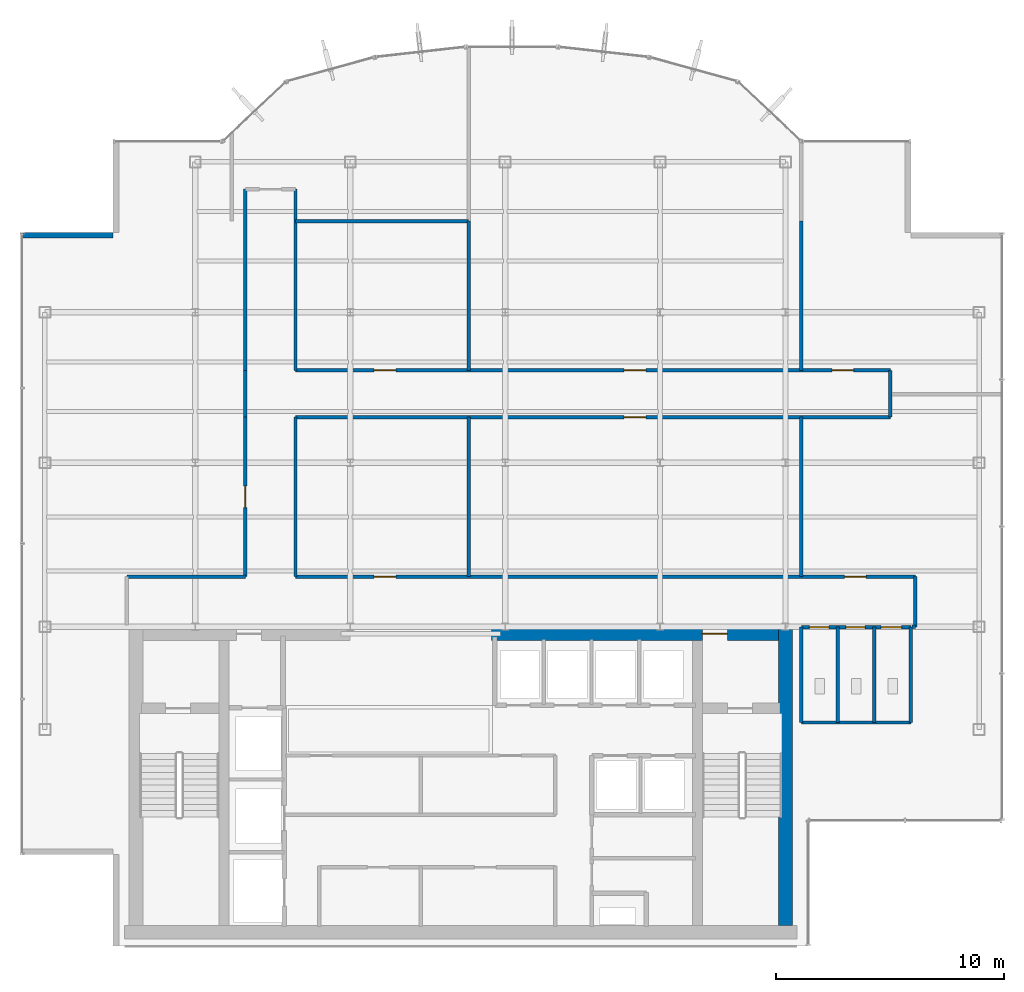
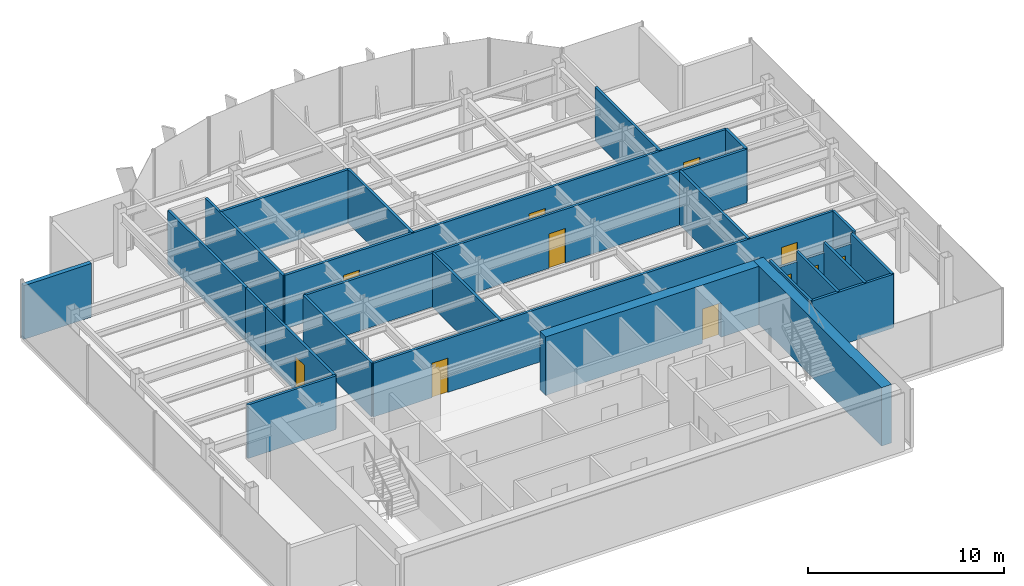
# One storey, part 18 of 22: 26 walls, 11 doors, 11 openings.
"""IFC4 building model written with IfcOpenShell, lengths in metres."""

from ifc_helpers import new_model, si_unit, derived_unit, direction, frame, frame_2d, origin, place, context, subcontext, project, spatial, rectangle, extrude, source, transform, mapped, material, layer, layer_set, type_object, element, fill, save


model = new_model("IFC4")

# Units and contexts
model_context = context("Model", 3, precision=1e-05, world=origin(), true_north=direction((0.0, 1.0)))
body_context = subcontext(model_context, "Body", "Model", "MODEL_VIEW")
ifc_project = project(units=[si_unit("LENGTHUNIT", "METRE"), si_unit("AREAUNIT", "SQUARE_METRE"), si_unit("VOLUMEUNIT", "CUBIC_METRE"), si_unit("PLANEANGLEUNIT", "RADIAN"), si_unit("MASSUNIT", "GRAM", prefix="KILO"), derived_unit("THERMALTRANSMITTANCEUNIT", [(si_unit("POWERUNIT", "WATT"), 1), (si_unit("LENGTHUNIT", "METRE"), -2), (si_unit("THERMODYNAMICTEMPERATUREUNIT", "KELVIN"), -1)])], contexts=[model_context])

# Site, building, storey
site_placement = place(None, origin())
site = spatial("IfcSite", under=ifc_project, at=site_placement, CompositionType="ELEMENT")
building_placement = place(site_placement, origin())
building = spatial("IfcBuilding", under=site, at=building_placement, Name="Skarnbrae Concourse Arena and Tower", CompositionType="ELEMENT")
storey_placement = place(building_placement, frame((0.0, 0.0, 232.39990234375)))
storey = spatial("IfcBuildingStorey", under=building, at=storey_placement, Name="L60", CompositionType="ELEMENT", Elevation=232.39990234375)

# Wall
ifc_material_1 = material(Name="Concrete 50 MPa (C50/60)", Category="concrete")
ifc_layer_1 = layer(ifc_material_1, 0.60009765625)
ifc_layer_set_1 = layer_set([ifc_layer_1], Name="Concrete 50 MPa (C50/60)")
wall_type_1 = type_object("IfcWallType", Name="WALL-CORE-600-C50", PredefinedType="SHEAR", material=ifc_layer_set_1)
shared_shape_1 = source(origin(), body_context, "Body", "SweptSolid", [
    extrude(rectangle(XDim=13.10009765625, YDim=0.60009765625, at=frame_2d((6.550048828125, 0.0))), origin(), (0.0, 0.0, 1.0), 3.650146484375),
])
wall_1_placement = place(storey_placement, frame((33.5, 0.89990234375, 0.0), z_axis=(0.0, 0.0, 1.0), x_axis=(0.0, 1.0, 0.0)))
element("IfcWall", 1, at=wall_1_placement, inside=storey, type_object=wall_type_1, Name="L60 Rear core shear wall CW-E", PredefinedType="SHEAR", context=body_context, shape_type="MappedRepresentation", body=[
    mapped(shared_shape_1, transform((0.0, 0.0, 0.0))),
])

# Wall, opening, door
shared_shape_2 = source(origin(), body_context, "Body", "SweptSolid", [
    extrude(rectangle(XDim=12.599853515625, YDim=0.60009765625, at=frame_2d((6.2998046875, 0.0))), origin(), (0.0, 0.0, 1.0), 3.650146484375),
])
wall_2_placement = place(storey_placement, frame((20.60009765625, 13.699951171875, 0.0), z_axis=(0.0, 0.0, 1.0), x_axis=(1.0, 0.0, 0.0)))
wall_2 = element("IfcWall", 2, at=wall_2_placement, inside=storey, type_object=wall_type_1, Name="L60 Rear core shear wall CW-NE", PredefinedType="SHEAR", context=body_context, shape_type="MappedRepresentation", body=[
    mapped(shared_shape_2, transform((0.0, 0.0, 0.0))),
])
opening_1_placement = place(wall_2_placement, frame((9.25, 0.0, 0.0)))
opening_1 = element("IfcOpeningElement", 3, at=opening_1_placement, cuts=wall_2, Name="Opening DT-03", PredefinedType="OPENING", context=body_context, shape_type="SweptSolid", body=[
    extrude(rectangle(XDim=1.10009765625, YDim=2.14990234375, at=frame_2d((0.550048828125, 1.074951171875))), frame((0.0, 0.31005859375, 0.0), z_axis=(0.0, -1.0, 0.0), x_axis=(1.0, 0.0, 0.0)), (0.0, 0.0, 1.0), 0.6201171875),
])
ifc_material_2 = material(Name="Steel CSA G40.21 350W", Category="steel")
door_type_1 = type_object("IfcDoorType", Name="DOOR-FIRE-1100-90M", OperationType="NOTDEFINED", PredefinedType="DOOR", material=ifc_material_2)
shared_shape_3 = source(origin(), body_context, "Body", "SweptSolid", [
    extrude(rectangle(XDim=1.10009765625, YDim=2.14990234375, at=frame_2d((0.550048828125, 1.074951171875))), frame((0.0, 0.02490234375, 0.0), z_axis=(0.0, -1.0, 0.0), x_axis=(1.0, 0.0, 0.0)), (0.0, 0.0, 1.0), 0.050048828125),
])
door_1_placement = place(opening_1_placement, origin())
door_1 = element("IfcDoor", 4, at=door_1_placement, inside=storey, type_object=door_type_1, Name="D-1821 Stair ST-2 Vestibule Door", OperationType="SINGLE_SWING_LEFT", OverallHeight=2.14990234375, OverallWidth=1.10009765625, PredefinedType="DOOR", context=body_context, shape_type="MappedRepresentation", body=[
    mapped(shared_shape_3, transform((0.0, 0.0, 0.0))),
])
fill(opening_1, door_1)

# Walls
ifc_material_3 = material(Name="Precast concrete 40 MPa (C40/50)", Category="concrete")
ifc_layer_2 = layer(ifc_material_3, 0.25)
ifc_layer_set_2 = layer_set([ifc_layer_2], Name="Precast concrete 40 MPa (C40/50)")
wall_type_2 = type_object("IfcWallType", Name="WALL-EXT-SPANDREL-250", PredefinedType="STANDARD", material=ifc_layer_set_2)
shared_shape_4 = source(origin(), body_context, "Body", "SweptSolid", [
    extrude(rectangle(XDim=4.0, YDim=0.25, at=frame_2d((2.0, 0.0))), origin(), (0.0, 0.0, 1.0), 3.35009765625),
])
wall_3_placement = place(storey_placement, frame((4.0, 31.175048828125, 0.0), z_axis=(0.0, 0.0, 1.0), x_axis=(-1.0, 0.0, 0.0)))
element("IfcWall", 5, at=wall_3_placement, inside=storey, type_object=wall_type_2, Name="L60 Notched corner insulated return wall 17", PredefinedType="STANDARD", context=body_context, shape_type="MappedRepresentation", body=[
    mapped(shared_shape_4, transform((0.0, 0.0, 0.0))),
])
ifc_material_4 = material(Name="Gypsum board on cold-formed steel studs", Category="steel")
ifc_layer_3 = layer(ifc_material_4, 0.14990234375)
ifc_layer_set_3 = layer_set([ifc_layer_3], Name="Gypsum board on cold-formed steel studs")
wall_type_3 = type_object("IfcWallType", Name="WALL-PART-150", PredefinedType="PARTITIONING", material=ifc_layer_set_3)
shared_shape_5 = source(origin(), body_context, "Body", "SweptSolid", [
    extrude(rectangle(XDim=4.800048828125, YDim=0.14990234375, at=frame_2d((2.39990234375, 0.0))), origin(), (0.0, 0.0, 1.0), 3.35009765625),
])
wall_4_placement = place(storey_placement, frame((34.199951171875, 9.800048828125, 0.0), z_axis=(0.0, 0.0, 1.0), x_axis=(1.0, 0.0, 0.0)))
element("IfcWall", 6, at=wall_4_placement, inside=storey, type_object=wall_type_3, Name="L60 Interior partition wall W-L60-WC-S", PredefinedType="PARTITIONING", context=body_context, shape_type="MappedRepresentation", body=[
    mapped(shared_shape_5, transform((0.0, 0.0, 0.0))),
])
shared_shape_6 = source(origin(), body_context, "Body", "SweptSolid", [
    extrude(rectangle(XDim=4.179931640625, YDim=0.14990234375, at=frame_2d((2.08984375, 0.0))), origin(), (0.0, 0.0, 1.0), 3.35009765625),
])
for number, where, z_axis, x_axis, name in (
    (7, (39.0, 9.800048828125, 0.0), (0.0, 0.0, 1.0), (0.0, 1.0, 0.0), "L60 Interior partition wall W-L60-WC-E"),
    (8, (34.199951171875, 9.800048828125, 0.0), (0.0, 0.0, 1.0), (0.0, 1.0, 0.0), "L60 Interior partition wall W-L60-WC-W"),
    (9, (35.800048828125, 9.800048828125, 0.0), (0.0, 0.0, 1.0), (0.0, 1.0, 0.0), "L60 Interior partition wall W-L60-WC-D1"),
    (10, (37.39990234375, 9.800048828125, 0.0), (0.0, 0.0, 1.0), (0.0, 1.0, 0.0), "L60 Interior partition wall W-L60-WC-D2"),
):
    element("IfcWall", number, at=place(storey_placement, frame(where, z_axis=z_axis, x_axis=x_axis)), inside=storey, type_object=wall_type_3, Name=name, PredefinedType="PARTITIONING", context=body_context, shape_type="MappedRepresentation", body=[
        mapped(shared_shape_6, transform((0.0, 0.0, 0.0))),
    ])

# Wall, openings, doors
shared_shape_7 = source(origin(), body_context, "Body", "SweptSolid", [
    extrude(rectangle(XDim=4.800048828125, YDim=0.14990234375, at=frame_2d((2.39990234375, 0.0))), origin(), (0.0, 0.0, 1.0), 2.737060546875),
])
wall_5_placement = place(storey_placement, frame((34.199951171875, 13.97998046875, 0.0), z_axis=(0.0, 0.0, 1.0), x_axis=(1.0, 0.0, 0.0)))
wall_5 = element("IfcWall", 11, at=wall_5_placement, inside=storey, type_object=wall_type_3, Name="L60 Interior partition wall W-L60-WC-N", PredefinedType="PARTITIONING", context=body_context, shape_type="MappedRepresentation", body=[
    mapped(shared_shape_7, transform((0.0, 0.0, 0.0))),
])
opening_2_placement = place(wall_5_placement, frame((0.35009765625, 0.0, 0.0)))
opening_2 = element("IfcOpeningElement", 12, at=opening_2_placement, cuts=wall_5, Name="Opening DT-06", PredefinedType="OPENING", context=body_context, shape_type="SweptSolid", body=[
    extrude(rectangle(XDim=0.85009765625, YDim=2.10009765625, at=frame_2d((0.425048828125, 1.050048828125))), frame((0.0, 0.0849609375, 0.0), z_axis=(0.0, -1.0, 0.0), x_axis=(1.0, 0.0, 0.0)), (0.0, 0.0, 1.0), 0.169921875),
])
opening_3_placement = place(wall_5_placement, frame((1.949951171875, 0.0, 0.0)))
opening_3 = element("IfcOpeningElement", 13, at=opening_3_placement, cuts=wall_5, Name="Opening DT-06", PredefinedType="OPENING", context=body_context, shape_type="SweptSolid", body=[
    extrude(rectangle(XDim=0.85009765625, YDim=2.10009765625, at=frame_2d((0.425048828125, 1.050048828125))), frame((0.0, 0.0849609375, 0.0), z_axis=(0.0, -1.0, 0.0), x_axis=(1.0, 0.0, 0.0)), (0.0, 0.0, 1.0), 0.169921875),
])
opening_4_placement = place(wall_5_placement, frame((3.5, 0.0, 0.0)))
opening_4 = element("IfcOpeningElement", 14, at=opening_4_placement, cuts=wall_5, Name="Opening DT-05", PredefinedType="OPENING", context=body_context, shape_type="SweptSolid", body=[
    extrude(rectangle(XDim=0.89990234375, YDim=2.10009765625, at=frame_2d((0.449951171875, 1.050048828125))), frame((0.0, 0.0849609375, 0.0), z_axis=(0.0, -1.0, 0.0), x_axis=(1.0, 0.0, 0.0)), (0.0, 0.0, 1.0), 0.169921875),
])
ifc_material_5 = material(Name="Architectural oak veneer timber leaf", Category="wood")
door_type_2 = type_object("IfcDoorType", Name="DOOR-INT-850", OperationType="NOTDEFINED", PredefinedType="DOOR", material=ifc_material_5)
shared_shape_8 = source(origin(), body_context, "Body", "SweptSolid", [
    extrude(rectangle(XDim=0.85009765625, YDim=2.10009765625, at=frame_2d((0.425048828125, 1.050048828125))), frame((0.0, 0.02490234375, 0.0), z_axis=(0.0, -1.0, 0.0), x_axis=(1.0, 0.0, 0.0)), (0.0, 0.0, 1.0), 0.050048828125),
])
door_2_placement = place(opening_2_placement, frame((0.85009765625, 0.0, 0.0), z_axis=(0.0, 0.0, 1.0), x_axis=(-1.0, 0.0, 0.0)))
door_2 = element("IfcDoor", 15, at=door_2_placement, inside=storey, type_object=door_type_2, Name="D-1837 Male Washroom Door", OperationType="SINGLE_SWING_LEFT", OverallHeight=2.10009765625, OverallWidth=0.85009765625, PredefinedType="DOOR", context=body_context, shape_type="MappedRepresentation", body=[
    mapped(shared_shape_8, transform((0.0, 0.0, 0.0))),
])
fill(opening_2, door_2)
door_3_placement = place(opening_3_placement, frame((0.85009765625, 0.0, 0.0), z_axis=(0.0, 0.0, 1.0), x_axis=(-1.0, 0.0, 0.0)))
door_3 = element("IfcDoor", 16, at=door_3_placement, inside=storey, type_object=door_type_2, Name="D-1838 Female Washroom Door", OperationType="SINGLE_SWING_RIGHT", OverallHeight=2.10009765625, OverallWidth=0.85009765625, PredefinedType="DOOR", context=body_context, shape_type="MappedRepresentation", body=[
    mapped(shared_shape_8, transform((0.0, 0.0, 0.0))),
])
fill(opening_3, door_3)
door_type_3 = type_object("IfcDoorType", Name="DOOR-INT-900", OperationType="NOTDEFINED", PredefinedType="DOOR", material=ifc_material_5)
shared_shape_9 = source(origin(), body_context, "Body", "SweptSolid", [
    extrude(rectangle(XDim=0.89990234375, YDim=2.10009765625, at=frame_2d((0.449951171875, 1.050048828125))), frame((0.0, 0.02490234375, 0.0), z_axis=(0.0, -1.0, 0.0), x_axis=(1.0, 0.0, 0.0)), (0.0, 0.0, 1.0), 0.050048828125),
])
door_4_placement = place(opening_4_placement, frame((0.89990234375, 0.0, 0.0), z_axis=(0.0, 0.0, 1.0), x_axis=(-1.0, 0.0, 0.0)))
door_4 = element("IfcDoor", 17, at=door_4_placement, inside=storey, type_object=door_type_3, Name="D-1839 Accessible WC Door", OperationType="SINGLE_SWING_LEFT", OverallHeight=2.10009765625, OverallWidth=0.89990234375, PredefinedType="DOOR", context=body_context, shape_type="MappedRepresentation", body=[
    mapped(shared_shape_9, transform((0.0, 0.0, 0.0))),
])
fill(opening_4, door_4)

# Wall
ifc_layer_4 = layer(ifc_material_4, 0.14990234375)
ifc_layer_set_4 = layer_set([ifc_layer_4], Name="Gypsum board on cold-formed steel studs")
wall_type_4 = type_object("IfcWallType", Name="WALL-PART-150-1HR", PredefinedType="PARTITIONING", material=ifc_layer_set_4)
shared_shape_10 = source(origin(), body_context, "Body", "SweptSolid", [
    extrude(rectangle(XDim=5.199951171875, YDim=0.14990234375, at=frame_2d((2.60009765625, 0.0))), origin(), (0.0, 0.0, 1.0), 3.35009765625),
])
wall_6_placement = place(storey_placement, frame((4.60009765625, 16.199951171875, 0.0), z_axis=(0.0, 0.0, 1.0), x_axis=(1.0, 0.0, 0.0)))
element("IfcWall", 18, at=wall_6_placement, inside=storey, type_object=wall_type_4, Name="L60 Interior partition wall W-L60-COR-02", PredefinedType="PARTITIONING", context=body_context, shape_type="MappedRepresentation", body=[
    mapped(shared_shape_10, transform((0.0, 0.0, 0.0))),
])

# Wall, opening, door
shared_shape_11 = source(origin(), body_context, "Body", "SweptSolid", [
    extrude(rectangle(XDim=7.0, YDim=0.14990234375, at=frame_2d((3.5, 0.0))), origin(), (0.0, 0.0, 1.0), 3.35009765625),
])
wall_7_placement = place(storey_placement, frame((9.800048828125, 16.199951171875, 0.0), z_axis=(0.0, 0.0, 1.0), x_axis=(0.0, 1.0, 0.0)))
wall_7 = element("IfcWall", 19, at=wall_7_placement, inside=storey, type_object=wall_type_4, Name="L60 Interior partition wall W-L60-COR-03", PredefinedType="PARTITIONING", context=body_context, shape_type="MappedRepresentation", body=[
    mapped(shared_shape_11, transform((0.0, 0.0, 0.0))),
])
opening_5_placement = place(wall_7_placement, frame((3.02490234375, 0.0, 0.0)))
opening_5 = element("IfcOpeningElement", 20, at=opening_5_placement, cuts=wall_7, Name="Opening DT-04", PredefinedType="OPENING", context=body_context, shape_type="SweptSolid", body=[
    extrude(rectangle(XDim=0.949951171875, YDim=2.14990234375, at=frame_2d((0.47509765625, 1.074951171875))), frame((0.0, 0.0849609375, 0.0), z_axis=(0.0, -1.0, 0.0), x_axis=(1.0, 0.0, 0.0)), (0.0, 0.0, 1.0), 0.169921875),
])
door_type_4 = type_object("IfcDoorType", Name="DOOR-INT-950-45M", OperationType="NOTDEFINED", PredefinedType="DOOR", material=ifc_material_2)
shared_shape_12 = source(origin(), body_context, "Body", "SweptSolid", [
    extrude(rectangle(XDim=0.949951171875, YDim=2.14990234375, at=frame_2d((0.47509765625, 1.074951171875))), frame((0.0, 0.02490234375, 0.0), z_axis=(0.0, -1.0, 0.0), x_axis=(1.0, 0.0, 0.0)), (0.0, 0.0, 1.0), 0.050048828125),
])
door_5_placement = place(opening_5_placement, origin())
door_5 = element("IfcDoor", 21, at=door_5_placement, inside=storey, type_object=door_type_4, Name="D-1840 L60 Suite Door 01", OperationType="SINGLE_SWING_RIGHT", OverallHeight=2.14990234375, OverallWidth=0.949951171875, PredefinedType="DOOR", context=body_context, shape_type="MappedRepresentation", body=[
    mapped(shared_shape_12, transform((0.0, 0.0, 0.0))),
])
fill(opening_5, door_5)

# Walls
wall_8_placement = place(storey_placement, frame((12.0, 23.199951171875, 0.0), z_axis=(0.0, 0.0, 1.0), x_axis=(0.0, -1.0, 0.0)))
element("IfcWall", 22, at=wall_8_placement, inside=storey, type_object=wall_type_4, Name="L60 Interior partition wall W-L60-COR-11", PredefinedType="PARTITIONING", context=body_context, shape_type="MappedRepresentation", body=[
    mapped(shared_shape_11, transform((0.0, 0.0, 0.0))),
])
for number, where, z_axis, x_axis, name in (
    (23, (19.60009765625, 23.199951171875, 0.0), (0.0, 0.0, 1.0), (0.0, -1.0, 0.0), "L60 Interior partition wall W-L60-DEM-17"),
    (24, (34.199951171875, 23.199951171875, 0.0), (0.0, 0.0, 1.0), (0.0, -1.0, 0.0), "L60 Interior partition wall W-L60-DEM-20"),
):
    element("IfcWall", number, at=place(storey_placement, frame(where, z_axis=z_axis, x_axis=x_axis)), inside=storey, type_object=wall_type_3, Name=name, PredefinedType="PARTITIONING", context=body_context, shape_type="MappedRepresentation", body=[
        mapped(shared_shape_11, transform((0.0, 0.0, 0.0))),
    ])
shared_shape_13 = source(origin(), body_context, "Body", "SweptSolid", [
    extrude(rectangle(XDim=2.050048828125, YDim=0.14990234375, at=frame_2d((1.02490234375, 0.0))), origin(), (0.0, 0.0, 1.0), 3.35009765625),
])
for number, where, z_axis, x_axis, name in (
    (25, (9.800048828125, 23.199951171875, 0.0), (0.0, 0.0, 1.0), (0.0, 1.0, 0.0), "L60 Interior partition wall W-L60-COR-04"),
    (26, (38.10009765625, 25.25, 0.0), (0.0, 0.0, 1.0), (0.0, -1.0, 0.0), "L60 Interior partition wall W-L60-COR-09"),
):
    element("IfcWall", number, at=place(storey_placement, frame(where, z_axis=z_axis, x_axis=x_axis)), inside=storey, type_object=wall_type_4, Name=name, PredefinedType="PARTITIONING", context=body_context, shape_type="MappedRepresentation", body=[
        mapped(shared_shape_13, transform((0.0, 0.0, 0.0))),
    ])
shared_shape_14 = source(origin(), body_context, "Body", "SweptSolid", [
    extrude(rectangle(XDim=7.949951171875, YDim=0.14990234375, at=frame_2d((3.97509765625, 0.0))), origin(), (0.0, 0.0, 1.0), 3.35009765625),
])
for number, where, z_axis, x_axis, name in (
    (27, (9.800048828125, 25.25, 0.0), (0.0, 0.0, 1.0), (0.0, 1.0, 0.0), "L60 Interior partition wall W-L60-COR-05"),
    (28, (12.0, 33.199951171875, 0.0), (0.0, 0.0, 1.0), (0.0, -1.0, 0.0), "L60 Interior partition wall W-L60-COR-07"),
):
    element("IfcWall", number, at=place(storey_placement, frame(where, z_axis=z_axis, x_axis=x_axis)), inside=storey, type_object=wall_type_4, Name=name, PredefinedType="PARTITIONING", context=body_context, shape_type="MappedRepresentation", body=[
        mapped(shared_shape_14, transform((0.0, 0.0, 0.0))),
    ])
shared_shape_15 = source(origin(), body_context, "Body", "SweptSolid", [
    extrude(rectangle(XDim=2.199951171875, YDim=0.14990234375, at=frame_2d((1.10009765625, 0.0))), origin(), (0.0, 0.0, 1.0), 3.35009765625),
])
wall_9_placement = place(storey_placement, frame((39.199951171875, 16.199951171875, 0.0), z_axis=(0.0, 0.0, 1.0), x_axis=(0.0, -1.0, 0.0)))
element("IfcWall", 29, at=wall_9_placement, inside=storey, type_object=wall_type_4, Name="L60 Interior partition wall W-L60-COR-13", PredefinedType="PARTITIONING", context=body_context, shape_type="MappedRepresentation", body=[
    mapped(shared_shape_15, transform((0.0, 0.0, 0.0))),
])

# Wall, openings, doors
shared_shape_16 = source(origin(), body_context, "Body", "SweptSolid", [
    extrude(rectangle(XDim=26.10009765625, YDim=0.14990234375, at=frame_2d((13.050048828125, 0.0))), origin(), (0.0, 0.0, 1.0), 3.35009765625),
])
wall_10_placement = place(storey_placement, frame((12.0, 25.25, 0.0), z_axis=(0.0, 0.0, 1.0), x_axis=(1.0, 0.0, 0.0)))
wall_10 = element("IfcWall", 30, at=wall_10_placement, inside=storey, type_object=wall_type_4, Name="L60 Interior partition wall W-L60-COR-08", PredefinedType="PARTITIONING", context=body_context, shape_type="MappedRepresentation", body=[
    mapped(shared_shape_16, transform((0.0, 0.0, 0.0))),
])
opening_6_placement = place(wall_10_placement, frame((3.455078125, 0.0, 0.0)))
opening_6 = element("IfcOpeningElement", 31, at=opening_6_placement, cuts=wall_10, Name="Opening DT-04", PredefinedType="OPENING", context=body_context, shape_type="SweptSolid", body=[
    extrude(rectangle(XDim=0.949951171875, YDim=2.14990234375, at=frame_2d((0.47509765625, 1.074951171875))), frame((0.0, 0.0849609375, 0.0), z_axis=(0.0, -1.0, 0.0), x_axis=(1.0, 0.0, 0.0)), (0.0, 0.0, 1.0), 0.169921875),
])
opening_7_placement = place(wall_10_placement, frame((14.425048828125, 0.0, 0.0)))
opening_7 = element("IfcOpeningElement", 32, at=opening_7_placement, cuts=wall_10, Name="Opening DT-04", PredefinedType="OPENING", context=body_context, shape_type="SweptSolid", body=[
    extrude(rectangle(XDim=0.949951171875, YDim=2.14990234375, at=frame_2d((0.47509765625, 1.074951171875))), frame((0.0, 0.0849609375, 0.0), z_axis=(0.0, -1.0, 0.0), x_axis=(1.0, 0.0, 0.0)), (0.0, 0.0, 1.0), 0.169921875),
])
opening_8_placement = place(wall_10_placement, frame((23.544921875, 0.0, 0.0)))
opening_8 = element("IfcOpeningElement", 33, at=opening_8_placement, cuts=wall_10, Name="Opening DT-04", PredefinedType="OPENING", context=body_context, shape_type="SweptSolid", body=[
    extrude(rectangle(XDim=0.949951171875, YDim=2.14990234375, at=frame_2d((0.47509765625, 1.074951171875))), frame((0.0, 0.0849609375, 0.0), z_axis=(0.0, -1.0, 0.0), x_axis=(1.0, 0.0, 0.0)), (0.0, 0.0, 1.0), 0.169921875),
])
door_6_placement = place(opening_6_placement, origin())
door_6 = element("IfcDoor", 34, at=door_6_placement, inside=storey, type_object=door_type_4, Name="D-1843 L60 Suite Door 04", OperationType="SINGLE_SWING_LEFT", OverallHeight=2.14990234375, OverallWidth=0.949951171875, PredefinedType="DOOR", context=body_context, shape_type="MappedRepresentation", body=[
    mapped(shared_shape_12, transform((0.0, 0.0, 0.0))),
])
fill(opening_6, door_6)
door_7_placement = place(opening_7_placement, origin())
door_7 = element("IfcDoor", 35, at=door_7_placement, inside=storey, type_object=door_type_4, Name="D-1844 L60 Suite Door 05", OperationType="SINGLE_SWING_RIGHT", OverallHeight=2.14990234375, OverallWidth=0.949951171875, PredefinedType="DOOR", context=body_context, shape_type="MappedRepresentation", body=[
    mapped(shared_shape_12, transform((0.0, 0.0, 0.0))),
])
fill(opening_7, door_7)
door_8_placement = place(opening_8_placement, origin())
door_8 = element("IfcDoor", 36, at=door_8_placement, inside=storey, type_object=door_type_4, Name="D-1846 L60 Suite Door 07", OperationType="SINGLE_SWING_RIGHT", OverallHeight=2.14990234375, OverallWidth=0.949951171875, PredefinedType="DOOR", context=body_context, shape_type="MappedRepresentation", body=[
    mapped(shared_shape_12, transform((0.0, 0.0, 0.0))),
])
fill(opening_8, door_8)

# Wall, opening, door
wall_11_placement = place(storey_placement, frame((38.10009765625, 23.199951171875, 0.0), z_axis=(0.0, 0.0, 1.0), x_axis=(-1.0, 0.0, 0.0)))
wall_11 = element("IfcWall", 37, at=wall_11_placement, inside=storey, type_object=wall_type_4, Name="L60 Interior partition wall W-L60-COR-10", PredefinedType="PARTITIONING", context=body_context, shape_type="MappedRepresentation", body=[
    mapped(shared_shape_16, transform((0.0, 0.0, 0.0))),
])
opening_9_placement = place(wall_11_placement, frame((10.72509765625, 0.0, 0.0)))
opening_9 = element("IfcOpeningElement", 38, at=opening_9_placement, cuts=wall_11, Name="Opening DT-04", PredefinedType="OPENING", context=body_context, shape_type="SweptSolid", body=[
    extrude(rectangle(XDim=0.949951171875, YDim=2.14990234375, at=frame_2d((0.47509765625, 1.074951171875))), frame((0.0, 0.0849609375, 0.0), z_axis=(0.0, -1.0, 0.0), x_axis=(1.0, 0.0, 0.0)), (0.0, 0.0, 1.0), 0.169921875),
])
door_9_placement = place(opening_9_placement, origin())
door_9 = element("IfcDoor", 39, at=door_9_placement, inside=storey, type_object=door_type_4, Name="D-1845 L60 Suite Door 06", OperationType="SINGLE_SWING_LEFT", OverallHeight=2.14990234375, OverallWidth=0.949951171875, PredefinedType="DOOR", context=body_context, shape_type="MappedRepresentation", body=[
    mapped(shared_shape_12, transform((0.0, 0.0, 0.0))),
])
fill(opening_9, door_9)

# Wall, openings, doors
shared_shape_17 = source(origin(), body_context, "Body", "SweptSolid", [
    extrude(rectangle(XDim=27.199951171875, YDim=0.14990234375, at=frame_2d((13.60009765625, 0.0))), origin(), (0.0, 0.0, 1.0), 3.35009765625),
])
wall_12_placement = place(storey_placement, frame((12.0, 16.199951171875, 0.0), z_axis=(0.0, 0.0, 1.0), x_axis=(1.0, 0.0, 0.0)))
wall_12 = element("IfcWall", 40, at=wall_12_placement, inside=storey, type_object=wall_type_4, Name="L60 Interior partition wall W-L60-COR-12", PredefinedType="PARTITIONING", context=body_context, shape_type="MappedRepresentation", body=[
    mapped(shared_shape_17, transform((0.0, 0.0, 0.0))),
])
opening_10_placement = place(wall_12_placement, frame((3.455078125, 0.0, 0.0)))
opening_10 = element("IfcOpeningElement", 41, at=opening_10_placement, cuts=wall_12, Name="Opening DT-04", PredefinedType="OPENING", context=body_context, shape_type="SweptSolid", body=[
    extrude(rectangle(XDim=0.949951171875, YDim=2.14990234375, at=frame_2d((0.47509765625, 1.074951171875))), frame((0.0, 0.0849609375, 0.0), z_axis=(0.0, -1.0, 0.0), x_axis=(1.0, 0.0, 0.0)), (0.0, 0.0, 1.0), 0.169921875),
])
opening_11_placement = place(wall_12_placement, frame((24.094970703125, 0.0, 0.0)))
opening_11 = element("IfcOpeningElement", 42, at=opening_11_placement, cuts=wall_12, Name="Opening DT-04", PredefinedType="OPENING", context=body_context, shape_type="SweptSolid", body=[
    extrude(rectangle(XDim=0.949951171875, YDim=2.14990234375, at=frame_2d((0.47509765625, 1.074951171875))), frame((0.0, 0.0849609375, 0.0), z_axis=(0.0, -1.0, 0.0), x_axis=(1.0, 0.0, 0.0)), (0.0, 0.0, 1.0), 0.169921875),
])
door_10_placement = place(opening_10_placement, origin())
door_10 = element("IfcDoor", 43, at=door_10_placement, inside=storey, type_object=door_type_4, Name="D-1842 L60 Suite Door 03", OperationType="SINGLE_SWING_RIGHT", OverallHeight=2.14990234375, OverallWidth=0.949951171875, PredefinedType="DOOR", context=body_context, shape_type="MappedRepresentation", body=[
    mapped(shared_shape_12, transform((0.0, 0.0, 0.0))),
])
fill(opening_10, door_10)
door_11_placement = place(opening_11_placement, origin())
door_11 = element("IfcDoor", 44, at=door_11_placement, inside=storey, type_object=door_type_4, Name="D-1847 L60 Suite Door 08", OperationType="SINGLE_SWING_LEFT", OverallHeight=2.14990234375, OverallWidth=0.949951171875, PredefinedType="DOOR", context=body_context, shape_type="MappedRepresentation", body=[
    mapped(shared_shape_12, transform((0.0, 0.0, 0.0))),
])
fill(opening_11, door_11)

# Walls
shared_shape_18 = source(origin(), body_context, "Body", "SweptSolid", [
    extrude(rectangle(XDim=0.14990234375, YDim=0.14990234375, at=frame_2d((0.074951171875, 0.0))), origin(), (0.0, 0.0, 1.0), 3.35009765625),
])
wall_13_placement = place(storey_placement, frame((39.199951171875, 14.0, 0.0), z_axis=(0.0, 0.0, 1.0), x_axis=(-1.0, 0.0, 0.0)))
element("IfcWall", 45, at=wall_13_placement, inside=storey, type_object=wall_type_4, Name="L60 Interior partition wall W-L60-COR-14", PredefinedType="PARTITIONING", context=body_context, shape_type="MappedRepresentation", body=[
    mapped(shared_shape_18, transform((0.0, 0.0, 0.0))),
])
shared_shape_19 = source(origin(), body_context, "Body", "SweptSolid", [
    extrude(rectangle(XDim=7.60009765625, YDim=0.14990234375, at=frame_2d((3.800048828125, 0.0))), origin(), (0.0, 0.0, 1.0), 3.35009765625),
])
wall_14_placement = place(storey_placement, frame((19.60009765625, 31.800048828125, 0.0), z_axis=(0.0, 0.0, 1.0), x_axis=(-1.0, 0.0, 0.0)))
element("IfcWall", 46, at=wall_14_placement, inside=storey, type_object=wall_type_3, Name="L60 Interior partition wall W-L60-DEM-16", PredefinedType="PARTITIONING", context=body_context, shape_type="MappedRepresentation", body=[
    mapped(shared_shape_19, transform((0.0, 0.0, 0.0))),
])
shared_shape_20 = source(origin(), body_context, "Body", "SweptSolid", [
    extrude(rectangle(XDim=6.550048828125, YDim=0.14990234375, at=frame_2d((3.27490234375, 0.0))), origin(), (0.0, 0.0, 1.0), 3.35009765625),
])
for number, where, z_axis, x_axis, name in (
    (47, (19.60009765625, 31.800048828125, 0.0), (0.0, 0.0, 1.0), (0.0, -1.0, 0.0), "L60 Interior partition wall W-L60-DEM-18"),
    (48, (34.199951171875, 31.800048828125, 0.0), (0.0, 0.0, 1.0), (0.0, -1.0, 0.0), "L60 Interior partition wall W-L60-DEM-22"),
):
    element("IfcWall", number, at=place(storey_placement, frame(where, z_axis=z_axis, x_axis=x_axis)), inside=storey, type_object=wall_type_3, Name=name, PredefinedType="PARTITIONING", context=body_context, shape_type="MappedRepresentation", body=[
        mapped(shared_shape_20, transform((0.0, 0.0, 0.0))),
    ])

save(model, "model.ifc")
